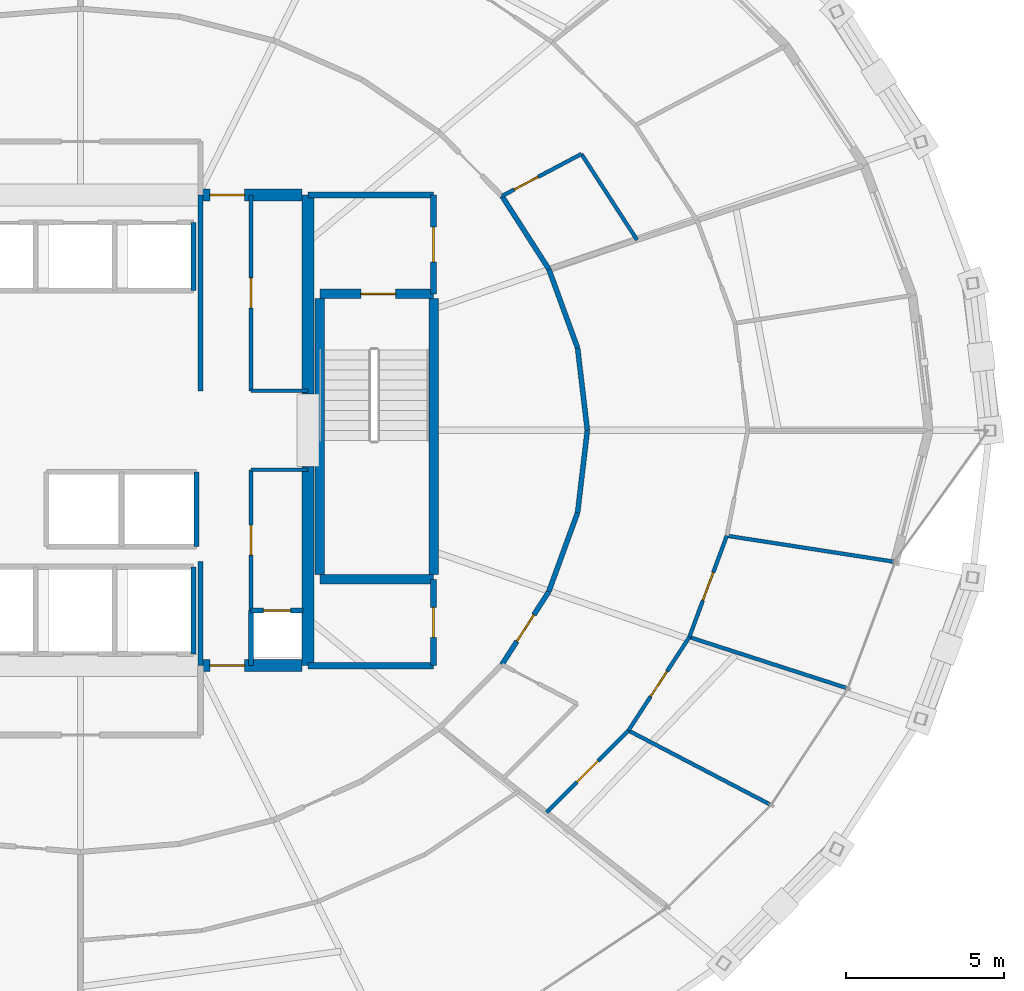
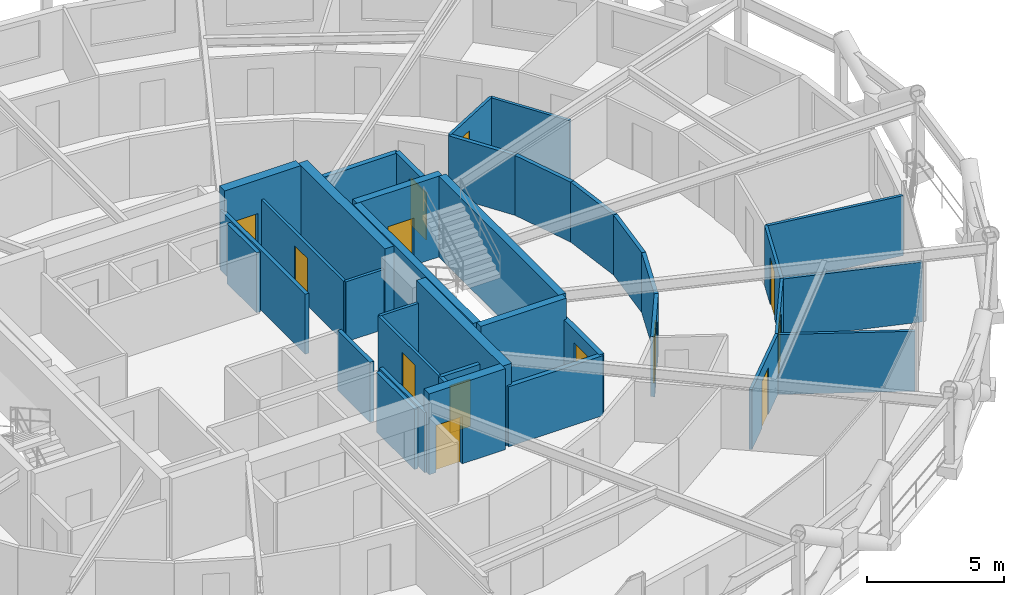
# One storey, part 17 of 23: 37 walls, 13 doors, 13 openings.
"""IFC4 building model written with IfcOpenShell, lengths in metres."""

from ifc_helpers import new_model, si_unit, direction, frame, frame_2d, origin, place, context, subcontext, project, spatial, rectangle, extrude, material, layer, layer_set, type_object, element, fill, save


model = new_model("IFC4")

# Units and contexts
model_context = context("Model", 3, precision=1e-05, world=origin(), true_north=direction((0.0, 1.0)))
body_context = subcontext(model_context, "Body", "Model", "MODEL_VIEW")
ifc_project = project(units=[si_unit("LENGTHUNIT", "METRE"), si_unit("AREAUNIT", "SQUARE_METRE"), si_unit("VOLUMEUNIT", "CUBIC_METRE"), si_unit("PLANEANGLEUNIT", "RADIAN"), si_unit("MASSUNIT", "GRAM", prefix="KILO")], contexts=[model_context])

# Site, building, storey
site_placement = place(None, origin())
site = spatial("IfcSite", under=ifc_project, at=site_placement, CompositionType="ELEMENT")
building_placement = place(site_placement, origin())
building = spatial("IfcBuilding", under=site, at=building_placement, Name="Veldorina Hangang Commons", CompositionType="ELEMENT")
storey_placement = place(building_placement, frame((0.0, 0.0, 102.39990234375)))
storey = spatial("IfcBuildingStorey", under=building, at=storey_placement, Name="L26", CompositionType="ELEMENT", Elevation=102.39990234375)

# Walls
ifc_material_1 = material(Name="Concrete C70/85", Category="concrete")
ifc_layer_1 = layer(ifc_material_1, 0.3798828125)
ifc_layer_set_1 = layer_set([ifc_layer_1], Name="Concrete C70/85")
wall_type_1 = type_object("IfcWallType", Name="CW-RC380-C70", PredefinedType="SHEAR", material=ifc_layer_set_1)
for number, where, z_axis, x_axis, name in (
    (1, (39.199951171875, 16.550048828125, 0.0), (0.0, 0.0, 1.0), (0.0, 1.0, 0.0), "L26 E south core shear wall"),
    (2, (39.199951171875, 25.14990234375, 0.0), (0.0, 0.0, 1.0), (0.0, 1.0, 0.0), "L26 E north core shear wall"),
):
    element("IfcWall", number, at=place(storey_placement, frame(where, z_axis=z_axis, x_axis=x_axis)), inside=storey, type_object=wall_type_1, Name=name, PredefinedType="SHEAR", context=body_context, shape_type="SweptSolid", body=[
        extrude(rectangle(XDim=6.300048828125, YDim=0.3798828125, at=frame_2d((3.14990234375, 0.0))), origin(), (0.0, 0.0, 1.0), 3.60009765625),
    ])

# Wall, opening, door
wall_1_placement = place(storey_placement, frame((35.800048828125, 16.550048828125, 0.0), z_axis=(0.0, 0.0, 1.0), x_axis=(1.0, 0.0, 0.0)))
wall_1 = element("IfcWall", 3, at=wall_1_placement, inside=storey, type_object=wall_type_1, Name="L26 south-east core shear wall", PredefinedType="SHEAR", context=body_context, shape_type="SweptSolid", body=[
    extrude(rectangle(XDim=3.2099609375, YDim=0.3798828125, at=frame_2d((1.60498046875, 0.0))), origin(), (0.0, 0.0, 1.0), 3.60009765625),
])
opening_1_placement = place(wall_1_placement, frame((0.300048828125, 0.0, 0.0)))
opening_1 = element("IfcOpeningElement", 4, at=opening_1_placement, cuts=wall_1, Name="Opening D-08", PredefinedType="OPENING", context=body_context, shape_type="SweptSolid", body=[
    extrude(rectangle(XDim=1.10009765625, YDim=2.10009765625, at=frame_2d((0.550048828125, 1.050048828125))), frame((0.0, 0.199951171875, 0.0), z_axis=(0.0, -1.0, 0.0), x_axis=(1.0, 0.0, 0.0)), (0.0, 0.0, 1.0), 0.39990234375),
])
ifc_material_2 = material(Name="Steel Fire-Rated Smoke Seal", Category="steel")
door_type_1 = type_object("IfcDoorType", Name="DR-FIRE-1100", OperationType="SINGLE_SWING_RIGHT", PredefinedType="DOOR", material=ifc_material_2)
door_1_placement = place(opening_1_placement, origin())
door_1 = element("IfcDoor", 5, at=door_1_placement, inside=storey, type_object=door_type_1, Name="L26 central lift lobby south corridor door", OperationType="SINGLE_SWING_RIGHT", OverallHeight=2.10009765625, OverallWidth=1.10009765625, PredefinedType="DOOR", context=body_context, shape_type="SweptSolid", body=[
    extrude(rectangle(XDim=1.10009765625, YDim=2.10009765625, at=frame_2d((0.550048828125, 1.050048828125))), frame((0.0, 0.02490234375, 0.0), z_axis=(0.0, -1.0, 0.0), x_axis=(1.0, 0.0, 0.0)), (0.0, 0.0, 1.0), 0.050048828125),
])
fill(opening_1, door_1)

wall_2_placement = place(storey_placement, frame((35.800048828125, 31.449951171875, 0.0), z_axis=(0.0, 0.0, 1.0), x_axis=(1.0, 0.0, 0.0)))
wall_2 = element("IfcWall", 6, at=wall_2_placement, inside=storey, type_object=wall_type_1, Name="L26 north-east core shear wall", PredefinedType="SHEAR", context=body_context, shape_type="SweptSolid", body=[
    extrude(rectangle(XDim=3.2099609375, YDim=0.3798828125, at=frame_2d((1.60498046875, 0.0))), origin(), (0.0, 0.0, 1.0), 3.60009765625),
])
opening_2_placement = place(wall_2_placement, frame((0.300048828125, 0.0, 0.0)))
opening_2 = element("IfcOpeningElement", 7, at=opening_2_placement, cuts=wall_2, Name="Opening D-08", PredefinedType="OPENING", context=body_context, shape_type="SweptSolid", body=[
    extrude(rectangle(XDim=1.10009765625, YDim=2.10009765625, at=frame_2d((0.550048828125, 1.050048828125))), frame((0.0, 0.199951171875, 0.0), z_axis=(0.0, -1.0, 0.0), x_axis=(1.0, 0.0, 0.0)), (0.0, 0.0, 1.0), 0.39990234375),
])
door_2_placement = place(opening_2_placement, origin())
door_2 = element("IfcDoor", 8, at=door_2_placement, inside=storey, type_object=door_type_1, Name="L26 central lift lobby north corridor door", OperationType="SINGLE_SWING_LEFT", OverallHeight=2.10009765625, OverallWidth=1.10009765625, PredefinedType="DOOR", context=body_context, shape_type="SweptSolid", body=[
    extrude(rectangle(XDim=1.10009765625, YDim=2.10009765625, at=frame_2d((0.550048828125, 1.050048828125))), frame((0.0, 0.02490234375, 0.0), z_axis=(0.0, -1.0, 0.0), x_axis=(1.0, 0.0, 0.0)), (0.0, 0.0, 1.0), 0.050048828125),
])
fill(opening_2, door_2)

# Walls
ifc_material_3 = material(Name="Concrete C50/60", Category="concrete")
ifc_layer_2 = layer(ifc_material_3, 0.300048828125)
ifc_layer_set_2 = layer_set([ifc_layer_2], Name="Concrete C50/60")
wall_type_2 = type_object("IfcWallType", Name="SW-STAIR-300", PredefinedType="SHEAR", material=ifc_layer_set_2)
for number, where, z_axis, x_axis, name in (
    (9, (43.179931640625, 19.429931640625, 0.0), (0.0, 0.0, 1.0), (0.0, 1.0, 0.0), "L26 ST2 outer stair shear wall"),
    (10, (39.580078125, 19.429931640625, 0.0), (0.0, 0.0, 1.0), (0.0, 1.0, 0.0), "L26 ST2 inner stair shear wall"),
):
    element("IfcWall", number, at=place(storey_placement, frame(where, z_axis=z_axis, x_axis=x_axis)), inside=storey, type_object=wall_type_2, Name=name, PredefinedType="SHEAR", context=body_context, shape_type="SweptSolid", body=[
        extrude(rectangle(XDim=8.739990234375, YDim=0.300048828125, at=frame_2d((4.3701171875, 0.0))), origin(), (0.0, 0.0, 1.0), 3.60009765625),
    ])
wall_3_placement = place(storey_placement, frame((39.580078125, 19.280029296875, 0.0), z_axis=(0.0, 0.0, 1.0), x_axis=(1.0, 0.0, 0.0)))
element("IfcWall", 11, at=wall_3_placement, inside=storey, type_object=wall_type_2, Name="L26 ST2 south stair shear wall", PredefinedType="SHEAR", context=body_context, shape_type="SweptSolid", body=[
    extrude(rectangle(XDim=3.599853515625, YDim=0.300048828125, at=frame_2d((1.7998046875, 0.0))), origin(), (0.0, 0.0, 1.0), 3.60009765625),
])

# Wall, opening, door
wall_4_placement = place(storey_placement, frame((39.580078125, 28.320068359375, 0.0), z_axis=(0.0, 0.0, 1.0), x_axis=(1.0, 0.0, 0.0)))
wall_4 = element("IfcWall", 12, at=wall_4_placement, inside=storey, type_object=wall_type_2, Name="L26 ST2 north stair shear wall", PredefinedType="SHEAR", context=body_context, shape_type="SweptSolid", body=[
    extrude(rectangle(XDim=3.599853515625, YDim=0.300048828125, at=frame_2d((1.7998046875, 0.0))), origin(), (0.0, 0.0, 1.0), 3.60009765625),
])
opening_3_placement = place(wall_4_placement, frame((1.300048828125, 0.0, 0.0)))
opening_3 = element("IfcOpeningElement", 13, at=opening_3_placement, cuts=wall_4, Name="Opening D-08", PredefinedType="OPENING", context=body_context, shape_type="SweptSolid", body=[
    extrude(rectangle(XDim=1.10009765625, YDim=2.10009765625, at=frame_2d((0.550048828125, 1.050048828125))), frame((0.0, 0.16015625, 0.0), z_axis=(0.0, -1.0, 0.0), x_axis=(1.0, 0.0, 0.0)), (0.0, 0.0, 1.0), 0.320068359375),
])
door_3_placement = place(opening_3_placement, origin())
door_3 = element("IfcDoor", 14, at=door_3_placement, inside=storey, type_object=door_type_1, Name="L26 Special Escape Stair ST-2 door", OperationType="SINGLE_SWING_RIGHT", OverallHeight=2.10009765625, OverallWidth=1.10009765625, PredefinedType="DOOR", context=body_context, shape_type="SweptSolid", body=[
    extrude(rectangle(XDim=1.10009765625, YDim=2.10009765625, at=frame_2d((0.550048828125, 1.050048828125))), frame((0.0, 0.02490234375, 0.0), z_axis=(0.0, -1.0, 0.0), x_axis=(1.0, 0.0, 0.0)), (0.0, 0.0, 1.0), 0.050048828125),
])
fill(opening_3, door_3)

# Walls
ifc_material_4 = material(Name="Gypsum Fire-Rated Twin Stud Wall", Category="gypsum")
ifc_layer_3 = layer(ifc_material_4, 0.159912109375)
ifc_layer_set_3 = layer_set([ifc_layer_3], Name="Gypsum Fire-Rated Twin Stud Wall")
wall_type_3 = type_object("IfcWallType", Name="WL-FIRE-160", PredefinedType="SOLIDWALL", material=ifc_layer_set_3)
wall_5_placement = place(storey_placement, frame((35.800048828125, 16.550048828125, 0.0), z_axis=(0.0, 0.0, 1.0), x_axis=(0.0, 1.0, 0.0)))
element("IfcWall", 15, at=wall_5_placement, inside=storey, type_object=wall_type_3, Name="L26 Lift passage SW wall 009", PredefinedType="SOLIDWALL", context=body_context, shape_type="SweptSolid", body=[
    extrude(rectangle(XDim=3.300048828125, YDim=0.159912109375, at=frame_2d((1.64990234375, 0.0))), origin(), (0.0, 0.0, 1.0), 2.670166015625),
])
wall_6_placement = place(storey_placement, frame((37.39990234375, 16.550048828125, 0.0), z_axis=(0.0, 0.0, 1.0), x_axis=(0.0, 1.0, 0.0)))
element("IfcWall", 16, at=wall_6_placement, inside=storey, type_object=wall_type_3, Name="L26 Lift passage SE stub 010", PredefinedType="SOLIDWALL", context=body_context, shape_type="SweptSolid", body=[
    extrude(rectangle(XDim=1.75, YDim=0.159912109375, at=frame_2d((0.875, 0.0))), origin(), (0.0, 0.0, 1.0), 2.670166015625),
])
wall_7_placement = place(storey_placement, frame((35.800048828125, 25.25, 0.0), z_axis=(0.0, 0.0, 1.0), x_axis=(0.0, 1.0, 0.0)))
element("IfcWall", 17, at=wall_7_placement, inside=storey, type_object=wall_type_3, Name="L26 Lift passage NW wall 011", PredefinedType="SOLIDWALL", context=body_context, shape_type="SweptSolid", body=[
    extrude(rectangle(XDim=6.199951171875, YDim=0.159912109375, at=frame_2d((3.10009765625, 0.0))), origin(), (0.0, 0.0, 1.0), 2.670166015625),
])
wall_8_placement = place(storey_placement, frame((35.580078125, 28.419921875, 0.0), z_axis=(0.0, 0.0, 1.0), x_axis=(0.0, 1.0, 0.0)))
element("IfcWall", 18, at=wall_8_placement, inside=storey, type_object=wall_type_3, Name="L26 PL-L3 east shaft wall 020", PredefinedType="SOLIDWALL", context=body_context, shape_type="SweptSolid", body=[
    extrude(rectangle(XDim=2.16015625, YDim=0.159912109375, at=frame_2d((1.080078125, 0.0))), origin(), (0.0, 0.0, 1.0), 2.670166015625),
])
wall_9_placement = place(storey_placement, frame((35.679931640625, 20.320068359375, 0.0), z_axis=(0.0, 0.0, 1.0), x_axis=(0.0, 1.0, 0.0)))
element("IfcWall", 19, at=wall_9_placement, inside=storey, type_object=wall_type_3, Name="L26 SL-2 east shaft wall 025", PredefinedType="SOLIDWALL", context=body_context, shape_type="SweptSolid", body=[
    extrude(rectangle(XDim=2.35986328125, YDim=0.159912109375, at=frame_2d((1.179931640625, 0.0))), origin(), (0.0, 0.0, 1.0), 2.670166015625),
])
wall_10_placement = place(storey_placement, frame((35.580078125, 16.919921875, 0.0), z_axis=(0.0, 0.0, 1.0), x_axis=(0.0, 1.0, 0.0)))
element("IfcWall", 20, at=wall_10_placement, inside=storey, type_object=wall_type_3, Name="L26 EVL-1 east shaft wall 031", PredefinedType="SOLIDWALL", context=body_context, shape_type="SweptSolid", body=[
    extrude(rectangle(XDim=2.760009765625, YDim=0.159912109375, at=frame_2d((1.3798828125, 0.0))), origin(), (0.0, 0.0, 1.0), 2.670166015625),
])

# Wall, opening, door
wall_11_placement = place(storey_placement, frame((37.39990234375, 18.300048828125, 0.0), z_axis=(0.0, 0.0, 1.0), x_axis=(1.0, 0.0, 0.0)))
wall_11 = element("IfcWall", 21, at=wall_11_placement, inside=storey, type_object=wall_type_3, Name="L26 Plumbing riser wall 037", PredefinedType="SOLIDWALL", context=body_context, shape_type="SweptSolid", body=[
    extrude(rectangle(XDim=1.650146484375, YDim=0.159912109375, at=frame_2d((0.8251953125, 0.0))), origin(), (0.0, 0.0, 1.0), 2.670166015625),
])
opening_4_placement = place(wall_11_placement, frame((0.39501953125, 0.0, 0.0)))
opening_4 = element("IfcOpeningElement", 22, at=opening_4_placement, cuts=wall_11, Name="Opening D-01N", PredefinedType="OPENING", context=body_context, shape_type="SweptSolid", body=[
    extrude(rectangle(XDim=0.860107421875, YDim=2.10009765625, at=frame_2d((0.43017578125, 1.050048828125))), frame((0.0, 0.08984375, 0.0), z_axis=(0.0, -1.0, 0.0), x_axis=(1.0, 0.0, 0.0)), (0.0, 0.0, 1.0), 0.179931640625),
])
ifc_material_5 = material(Name="Timber Fire-Rated Core", Category="wood")
door_type_2 = type_object("IfcDoorType", Name="DR-INT-860", OperationType="SINGLE_SWING_LEFT", PredefinedType="DOOR", material=ifc_material_5)
door_4_placement = place(opening_4_placement, origin())
door_4 = element("IfcDoor", 23, at=door_4_placement, inside=storey, type_object=door_type_2, Name="L26 Plumbing riser access door 014", OperationType="SINGLE_SWING_RIGHT", OverallHeight=2.10009765625, OverallWidth=0.860107421875, PredefinedType="TRAPDOOR", context=body_context, shape_type="SweptSolid", body=[
    extrude(rectangle(XDim=0.860107421875, YDim=2.10009765625, at=frame_2d((0.43017578125, 1.050048828125))), frame((0.0, 0.02490234375, 0.0), z_axis=(0.0, -1.0, 0.0), x_axis=(1.0, 0.0, 0.0)), (0.0, 0.0, 1.0), 0.050048828125),
])
fill(opening_4, door_4)

# Walls
wall_12_placement = place(storey_placement, frame((48.050048828125, 24.0, 0.0), z_axis=(0.0, 0.0, 1.0), x_axis=(-0.117570353762, 0.993064555765, 0.0)))
element("IfcWall", 24, at=wall_12_placement, inside=storey, type_object=wall_type_3, Name="L26 Corridor outer wall 00 045", PredefinedType="SOLIDWALL", context=body_context, shape_type="SweptSolid", body=[
    extrude(rectangle(XDim=2.622802734375, YDim=0.159912109375, at=frame_2d((1.3115234375, 0.0))), origin(), (0.0, 0.0, 1.0), 2.670166015625),
])
wall_13_placement = place(storey_placement, frame((47.74169921875, 26.6044921875, 0.0), z_axis=(0.0, 0.0, 1.0), x_axis=(-0.342617982381, 0.939474809747, 0.0)))
element("IfcWall", 25, at=wall_13_placement, inside=storey, type_object=wall_type_3, Name="L26 Corridor outer wall 01 046", PredefinedType="SOLIDWALL", context=body_context, shape_type="SweptSolid", body=[
    extrude(rectangle(XDim=2.665771484375, YDim=0.159912109375, at=frame_2d((1.3330078125, 0.0))), origin(), (0.0, 0.0, 1.0), 2.670166015625),
])
wall_14_placement = place(storey_placement, frame((46.828369140625, 29.10888671875, 0.0), z_axis=(0.0, 0.0, 1.0), x_axis=(-0.540595670038, 0.841282545603, 0.0)))
element("IfcWall", 26, at=wall_14_placement, inside=storey, type_object=wall_type_3, Name="L26 Corridor outer wall 02 047", PredefinedType="SOLIDWALL", context=body_context, shape_type="SweptSolid", body=[
    extrude(rectangle(XDim=2.74365234375, YDim=0.159912109375, at=frame_2d((1.371826171875, 0.0))), origin(), (0.0, 0.0, 1.0), 2.670166015625),
])

# Wall, opening, door
wall_15_placement = place(storey_placement, frame((45.34521484375, 16.5830078125, 0.0), z_axis=(0.0, 0.0, 1.0), x_axis=(0.540595670038, 0.841282545603, 0.0)))
wall_15 = element("IfcWall", 27, at=wall_15_placement, inside=storey, type_object=wall_type_3, Name="L26 Corridor outer wall 29 074", PredefinedType="SOLIDWALL", context=body_context, shape_type="SweptSolid", body=[
    extrude(rectangle(XDim=2.74365234375, YDim=0.159912109375, at=frame_2d((1.371826171875, 0.0))), origin(), (0.0, 0.0, 1.0), 2.670166015625),
])
opening_5_placement = place(wall_15_placement, frame((0.871826171875, 0.0, 0.0)))
opening_5 = element("IfcOpeningElement", 28, at=opening_5_placement, cuts=wall_15, Name="Opening D-06", PredefinedType="OPENING", context=body_context, shape_type="SweptSolid", body=[
    extrude(rectangle(XDim=1.0, YDim=2.10009765625, at=frame_2d((0.5, 1.050048828125))), frame((0.0, 0.08984375, 0.0), z_axis=(0.0, -1.0, 0.0), x_axis=(1.0, 0.0, 0.0)), (0.0, 0.0, 1.0), 0.179931640625),
])
ifc_material_6 = material(Name="Timber Fire-Rated Entrance Core", Category="wood")
door_type_3 = type_object("IfcDoorType", Name="DR-UNIT-1000", OperationType="SINGLE_SWING_LEFT", PredefinedType="DOOR", material=ifc_material_6)
door_5_placement = place(opening_5_placement, origin())
door_5 = element("IfcDoor", 29, at=door_5_placement, inside=storey, type_object=door_type_3, Name="L26 Cluster 2 entrance door 022", OperationType="SINGLE_SWING_RIGHT", OverallHeight=2.10009765625, OverallWidth=1.0, PredefinedType="DOOR", context=body_context, shape_type="SweptSolid", body=[
    extrude(rectangle(XDim=1.0, YDim=2.10009765625, at=frame_2d((0.5, 1.050048828125))), frame((0.0, 0.02490234375, 0.0), z_axis=(0.0, -1.0, 0.0), x_axis=(1.0, 0.0, 0.0)), (0.0, 0.0, 1.0), 0.050048828125),
])
fill(opening_5, door_5)

# Walls
wall_16_placement = place(storey_placement, frame((46.828369140625, 18.89111328125, 0.0), z_axis=(0.0, 0.0, 1.0), x_axis=(0.342617982381, 0.939474809747, 0.0)))
element("IfcWall", 30, at=wall_16_placement, inside=storey, type_object=wall_type_3, Name="L26 Corridor outer wall 30 075", PredefinedType="SOLIDWALL", context=body_context, shape_type="SweptSolid", body=[
    extrude(rectangle(XDim=2.665771484375, YDim=0.159912109375, at=frame_2d((1.3330078125, 0.0))), origin(), (0.0, 0.0, 1.0), 2.670166015625),
])
wall_17_placement = place(storey_placement, frame((47.74169921875, 21.3955078125, 0.0), z_axis=(0.0, 0.0, 1.0), x_axis=(0.117570353762, 0.993064555765, 0.0)))
element("IfcWall", 31, at=wall_17_placement, inside=storey, type_object=wall_type_3, Name="L26 Corridor outer wall 31 076", PredefinedType="SOLIDWALL", context=body_context, shape_type="SweptSolid", body=[
    extrude(rectangle(XDim=2.622802734375, YDim=0.159912109375, at=frame_2d((1.3115234375, 0.0))), origin(), (0.0, 0.0, 1.0), 2.670166015625),
])

# Wall, opening, door
ifc_material_7 = material(Name="Concrete Blockwork Fire Wall C30/37", Category="masonry")
ifc_layer_4 = layer(ifc_material_7, 0.199951171875)
ifc_layer_set_4 = layer_set([ifc_layer_4], Name="Concrete Blockwork Fire Wall C30/37")
wall_type_4 = type_object("IfcWallType", Name="WL-FIRE-200", PredefinedType="SOLIDWALL", material=ifc_layer_set_4)
wall_18_placement = place(storey_placement, frame((43.179931640625, 28.320068359375, 0.0), z_axis=(0.0, 0.0, 1.0), x_axis=(0.0, 1.0, 0.0)))
wall_18 = element("IfcWall", 32, at=wall_18_placement, inside=storey, type_object=wall_type_4, Name="L26 East vestibule outer wall 003", PredefinedType="SOLIDWALL", context=body_context, shape_type="SweptSolid", body=[
    extrude(rectangle(XDim=3.1298828125, YDim=0.199951171875, at=frame_2d((1.56494140625, 0.0))), origin(), (0.0, 0.0, 1.0), 2.670166015625),
])
opening_6_placement = place(wall_18_placement, frame((1.014892578125, 0.0, 0.0)))
opening_6 = element("IfcOpeningElement", 33, at=opening_6_placement, cuts=wall_18, Name="Opening D-08", PredefinedType="OPENING", context=body_context, shape_type="SweptSolid", body=[
    extrude(rectangle(XDim=1.10009765625, YDim=2.10009765625, at=frame_2d((0.550048828125, 1.050048828125))), frame((0.0, 0.10986328125, 0.0), z_axis=(0.0, -1.0, 0.0), x_axis=(1.0, 0.0, 0.0)), (0.0, 0.0, 1.0), 0.219970703125),
])
door_6_placement = place(opening_6_placement, origin())
door_6 = element("IfcDoor", 34, at=door_6_placement, inside=storey, type_object=door_type_1, Name="L26 East vestibule east door 002", OperationType="SINGLE_SWING_RIGHT", OverallHeight=2.10009765625, OverallWidth=1.10009765625, PredefinedType="DOOR", context=body_context, shape_type="SweptSolid", body=[
    extrude(rectangle(XDim=1.10009765625, YDim=2.10009765625, at=frame_2d((0.550048828125, 1.050048828125))), frame((0.0, 0.02490234375, 0.0), z_axis=(0.0, -1.0, 0.0), x_axis=(1.0, 0.0, 0.0)), (0.0, 0.0, 1.0), 0.050048828125),
])
fill(opening_6, door_6)

# Wall
wall_19_placement = place(storey_placement, frame((39.199951171875, 31.449951171875, 0.0), z_axis=(0.0, 0.0, 1.0), x_axis=(1.0, 0.0, 0.0)))
element("IfcWall", 35, at=wall_19_placement, inside=storey, type_object=wall_type_4, Name="L26 East vestibule north wall 004", PredefinedType="SOLIDWALL", context=body_context, shape_type="SweptSolid", body=[
    extrude(rectangle(XDim=3.97998046875, YDim=0.199951171875, at=frame_2d((1.989990234375, 0.0))), origin(), (0.0, 0.0, 1.0), 2.670166015625),
])

# Wall, opening, door
wall_20_placement = place(storey_placement, frame((43.179931640625, 16.550048828125, 0.0), z_axis=(0.0, 0.0, 1.0), x_axis=(0.0, 1.0, 0.0)))
wall_20 = element("IfcWall", 36, at=wall_20_placement, inside=storey, type_object=wall_type_4, Name="L26 SE core room outer wall 007", PredefinedType="SOLIDWALL", context=body_context, shape_type="SweptSolid", body=[
    extrude(rectangle(XDim=2.72998046875, YDim=0.199951171875, at=frame_2d((1.364990234375, 0.0))), origin(), (0.0, 0.0, 1.0), 2.670166015625),
])
opening_7_placement = place(wall_20_placement, frame((0.889892578125, 0.0, 0.0)))
opening_7 = element("IfcOpeningElement", 37, at=opening_7_placement, cuts=wall_20, Name="Opening D-02", PredefinedType="OPENING", context=body_context, shape_type="SweptSolid", body=[
    extrude(rectangle(XDim=0.949951171875, YDim=2.10009765625, at=frame_2d((0.47509765625, 1.050048828125))), frame((0.0, 0.10986328125, 0.0), z_axis=(0.0, -1.0, 0.0), x_axis=(1.0, 0.0, 0.0)), (0.0, 0.0, 1.0), 0.219970703125),
])
ifc_material_8 = material(Name="Timber Solid Core Acoustic", Category="wood")
door_type_4 = type_object("IfcDoorType", Name="DR-INT-950", OperationType="SINGLE_SWING_LEFT", PredefinedType="DOOR", material=ifc_material_8)
door_7_placement = place(opening_7_placement, origin())
door_7 = element("IfcDoor", 38, at=door_7_placement, inside=storey, type_object=door_type_4, Name="L26 SE core WC door 004", OperationType="SINGLE_SWING_RIGHT", OverallHeight=2.10009765625, OverallWidth=0.949951171875, PredefinedType="DOOR", context=body_context, shape_type="SweptSolid", body=[
    extrude(rectangle(XDim=0.949951171875, YDim=2.10009765625, at=frame_2d((0.47509765625, 1.050048828125))), frame((0.0, 0.02490234375, 0.0), z_axis=(0.0, -1.0, 0.0), x_axis=(1.0, 0.0, 0.0)), (0.0, 0.0, 1.0), 0.050048828125),
])
fill(opening_7, door_7)

# Wall
wall_21_placement = place(storey_placement, frame((39.199951171875, 16.550048828125, 0.0), z_axis=(0.0, 0.0, 1.0), x_axis=(1.0, 0.0, 0.0)))
element("IfcWall", 39, at=wall_21_placement, inside=storey, type_object=wall_type_4, Name="L26 SE core room south wall 008", PredefinedType="SOLIDWALL", context=body_context, shape_type="SweptSolid", body=[
    extrude(rectangle(XDim=3.97998046875, YDim=0.199951171875, at=frame_2d((1.989990234375, 0.0))), origin(), (0.0, 0.0, 1.0), 2.670166015625),
])

# Wall, opening, door
ifc_material_9 = material(Name="Gypsum Acoustic Stud Partition", Category="gypsum")
ifc_layer_5 = layer(ifc_material_9, 0.1201171875)
ifc_layer_set_5 = layer_set([ifc_layer_5], Name="Gypsum Acoustic Stud Partition")
wall_type_5 = type_object("IfcWallType", Name="WL-PART-120", PredefinedType="PARTITIONING", material=ifc_layer_set_5)
wall_22_placement = place(storey_placement, frame((37.39990234375, 25.25, 0.0), z_axis=(0.0, 0.0, 1.0), x_axis=(0.0, 1.0, 0.0)))
wall_22 = element("IfcWall", 40, at=wall_22_placement, inside=storey, type_object=wall_type_5, Name="L26 NE strip lobby wall 041", PredefinedType="PARTITIONING", context=body_context, shape_type="SweptSolid", body=[
    extrude(rectangle(XDim=6.199951171875, YDim=0.1201171875, at=frame_2d((3.10009765625, 0.0))), origin(), (0.0, 0.0, 1.0), 2.670166015625),
])
opening_8_placement = place(wall_22_placement, frame((2.625, 0.0, 0.0)))
opening_8 = element("IfcOpeningElement", 41, at=opening_8_placement, cuts=wall_22, Name="Opening D-02", PredefinedType="OPENING", context=body_context, shape_type="SweptSolid", body=[
    extrude(rectangle(XDim=0.949951171875, YDim=2.10009765625, at=frame_2d((0.47509765625, 1.050048828125))), frame((0.0, 0.070068359375, 0.0), z_axis=(0.0, -1.0, 0.0), x_axis=(1.0, 0.0, 0.0)), (0.0, 0.0, 1.0), 0.14013671875),
])
door_8_placement = place(opening_8_placement, origin())
door_8 = element("IfcDoor", 42, at=door_8_placement, inside=storey, type_object=door_type_4, Name="L26 Comms room door 017", OperationType="SINGLE_SWING_LEFT", OverallHeight=2.10009765625, OverallWidth=0.949951171875, PredefinedType="DOOR", context=body_context, shape_type="SweptSolid", body=[
    extrude(rectangle(XDim=0.949951171875, YDim=2.10009765625, at=frame_2d((0.47509765625, 1.050048828125))), frame((0.0, 0.02490234375, 0.0), z_axis=(0.0, -1.0, 0.0), x_axis=(1.0, 0.0, 0.0)), (0.0, 0.0, 1.0), 0.050048828125),
])
fill(opening_8, door_8)

# Wall
wall_23_placement = place(storey_placement, frame((37.39990234375, 25.25, 0.0), z_axis=(0.0, 0.0, 1.0), x_axis=(1.0, 0.0, 0.0)))
element("IfcWall", 43, at=wall_23_placement, inside=storey, type_object=wall_type_5, Name="L26 NE strip south return wall 042", PredefinedType="PARTITIONING", context=body_context, shape_type="SweptSolid", body=[
    extrude(rectangle(XDim=1.800048828125, YDim=0.1201171875, at=frame_2d((0.89990234375, 0.0))), origin(), (0.0, 0.0, 1.0), 2.670166015625),
])

# Wall, opening, door
wall_24_placement = place(storey_placement, frame((37.39990234375, 18.300048828125, 0.0), z_axis=(0.0, 0.0, 1.0), x_axis=(0.0, 1.0, 0.0)))
wall_24 = element("IfcWall", 44, at=wall_24_placement, inside=storey, type_object=wall_type_5, Name="L26 SE strip lobby wall 043", PredefinedType="PARTITIONING", context=body_context, shape_type="SweptSolid", body=[
    extrude(rectangle(XDim=4.449951171875, YDim=0.1201171875, at=frame_2d((2.22509765625, 0.0))), origin(), (0.0, 0.0, 1.0), 2.670166015625),
])
opening_9_placement = place(wall_24_placement, frame((1.75, 0.0, 0.0)))
opening_9 = element("IfcOpeningElement", 45, at=opening_9_placement, cuts=wall_24, Name="Opening D-02", PredefinedType="OPENING", context=body_context, shape_type="SweptSolid", body=[
    extrude(rectangle(XDim=0.949951171875, YDim=2.10009765625, at=frame_2d((0.47509765625, 1.050048828125))), frame((0.0, 0.070068359375, 0.0), z_axis=(0.0, -1.0, 0.0), x_axis=(1.0, 0.0, 0.0)), (0.0, 0.0, 1.0), 0.14013671875),
])
door_9_placement = place(opening_9_placement, origin())
door_9 = element("IfcDoor", 46, at=door_9_placement, inside=storey, type_object=door_type_4, Name="L26 BMS closet door 018", OperationType="SINGLE_SWING_RIGHT", OverallHeight=2.10009765625, OverallWidth=0.949951171875, PredefinedType="DOOR", context=body_context, shape_type="SweptSolid", body=[
    extrude(rectangle(XDim=0.949951171875, YDim=2.10009765625, at=frame_2d((0.47509765625, 1.050048828125))), frame((0.0, 0.02490234375, 0.0), z_axis=(0.0, -1.0, 0.0), x_axis=(1.0, 0.0, 0.0)), (0.0, 0.0, 1.0), 0.050048828125),
])
fill(opening_9, door_9)

# Wall
wall_25_placement = place(storey_placement, frame((37.39990234375, 22.75, 0.0), z_axis=(0.0, 0.0, 1.0), x_axis=(1.0, 0.0, 0.0)))
element("IfcWall", 47, at=wall_25_placement, inside=storey, type_object=wall_type_5, Name="L26 SE strip north return wall 044", PredefinedType="PARTITIONING", context=body_context, shape_type="SweptSolid", body=[
    extrude(rectangle(XDim=1.800048828125, YDim=0.1201171875, at=frame_2d((0.89990234375, 0.0))), origin(), (0.0, 0.0, 1.0), 2.670166015625),
])

# Wall, opening, door
wall_26_placement = place(storey_placement, frame((46.75537109375, 11.900146484375, 0.0), z_axis=(0.0, 0.0, 1.0), x_axis=(0.707406184173, 0.706807251373, 0.0)))
wall_26 = element("IfcWall", 48, at=wall_26_placement, inside=storey, type_object=wall_type_5, Name="L26 Cluster 2 bed 1 front wall 085", PredefinedType="PARTITIONING", context=body_context, shape_type="SweptSolid", body=[
    extrude(rectangle(XDim=3.668701171875, YDim=0.1201171875, at=frame_2d((1.83447265625, 0.0))), origin(), (0.0, 0.0, 1.0), 2.670166015625),
])
opening_10_placement = place(wall_26_placement, frame((1.359130859375, 0.0, 0.0)))
opening_10 = element("IfcOpeningElement", 49, at=opening_10_placement, cuts=wall_26, Name="Opening D-02", PredefinedType="OPENING", context=body_context, shape_type="SweptSolid", body=[
    extrude(rectangle(XDim=0.949951171875, YDim=2.10009765625, at=frame_2d((0.47509765625, 1.050048828125))), frame((0.0, 0.070068359375, 0.0), z_axis=(0.0, -1.0, 0.0), x_axis=(1.0, 0.0, 0.0)), (0.0, 0.0, 1.0), 0.14013671875),
])
door_10_placement = place(opening_10_placement, origin())
door_10 = element("IfcDoor", 50, at=door_10_placement, inside=storey, type_object=door_type_4, Name="L26 Cluster 2 bed 1 door 023", OperationType="SINGLE_SWING_LEFT", OverallHeight=2.10009765625, OverallWidth=0.949951171875, PredefinedType="DOOR", context=body_context, shape_type="SweptSolid", body=[
    extrude(rectangle(XDim=0.949951171875, YDim=2.10009765625, at=frame_2d((0.47509765625, 1.050048828125))), frame((0.0, 0.02490234375, 0.0), z_axis=(0.0, -1.0, 0.0), x_axis=(1.0, 0.0, 0.0)), (0.0, 0.0, 1.0), 0.050048828125),
])
fill(opening_10, door_10)

wall_27_placement = place(storey_placement, frame((49.3505859375, 14.4931640625, 0.0), z_axis=(0.0, 0.0, 1.0), x_axis=(0.546023127997, 0.837770101933, 0.0)))
wall_27 = element("IfcWall", 51, at=wall_27_placement, inside=storey, type_object=wall_type_5, Name="L26 Cluster 2 bed 2 front wall 086", PredefinedType="PARTITIONING", context=body_context, shape_type="SweptSolid", body=[
    extrude(rectangle(XDim=3.531494140625, YDim=0.1201171875, at=frame_2d((1.765625, 0.0))), origin(), (0.0, 0.0, 1.0), 2.670166015625),
])
opening_11_placement = place(wall_27_placement, frame((1.290771484375, 0.0, 0.0)))
opening_11 = element("IfcOpeningElement", 52, at=opening_11_placement, cuts=wall_27, Name="Opening D-02", PredefinedType="OPENING", context=body_context, shape_type="SweptSolid", body=[
    extrude(rectangle(XDim=0.949951171875, YDim=2.10009765625, at=frame_2d((0.47509765625, 1.050048828125))), frame((0.0, 0.070068359375, 0.0), z_axis=(0.0, -1.0, 0.0), x_axis=(1.0, 0.0, 0.0)), (0.0, 0.0, 1.0), 0.14013671875),
])
door_11_placement = place(opening_11_placement, origin())
door_11 = element("IfcDoor", 53, at=door_11_placement, inside=storey, type_object=door_type_4, Name="L26 Cluster 2 bed 2 door 024", OperationType="SINGLE_SWING_RIGHT", OverallHeight=2.10009765625, OverallWidth=0.949951171875, PredefinedType="DOOR", context=body_context, shape_type="SweptSolid", body=[
    extrude(rectangle(XDim=0.949951171875, YDim=2.10009765625, at=frame_2d((0.47509765625, 1.050048828125))), frame((0.0, 0.02490234375, 0.0), z_axis=(0.0, -1.0, 0.0), x_axis=(1.0, 0.0, 0.0)), (0.0, 0.0, 1.0), 0.050048828125),
])
fill(opening_11, door_11)

# Wall
wall_28_placement = place(storey_placement, frame((49.3505859375, 14.4931640625, 0.0), z_axis=(0.0, 0.0, 1.0), x_axis=(0.886579668451, -0.462575930512, 0.0)))
element("IfcWall", 54, at=wall_28_placement, inside=storey, type_object=wall_type_5, Name="L26 Cluster 2 bed divider 1 087", PredefinedType="PARTITIONING", context=body_context, shape_type="SweptSolid", body=[
    extrude(rectangle(XDim=5.044677734375, YDim=0.1201171875, at=frame_2d((2.5224609375, 0.0))), origin(), (0.0, 0.0, 1.0), 2.670166015625),
])

# Wall, opening, door
wall_29_placement = place(storey_placement, frame((51.27880859375, 17.45166015625, 0.0), z_axis=(0.0, 0.0, 1.0), x_axis=(0.346961196686, 0.937879484792, 0.0)))
wall_29 = element("IfcWall", 55, at=wall_29_placement, inside=storey, type_object=wall_type_5, Name="L26 Cluster 2 bed 3 front wall 088", PredefinedType="PARTITIONING", context=body_context, shape_type="SweptSolid", body=[
    extrude(rectangle(XDim=3.422607421875, YDim=0.1201171875, at=frame_2d((1.71142578125, 0.0))), origin(), (0.0, 0.0, 1.0), 2.670166015625),
])
opening_12_placement = place(wall_29_placement, frame((1.236328125, 0.0, 0.0)))
opening_12 = element("IfcOpeningElement", 56, at=opening_12_placement, cuts=wall_29, Name="Opening D-02", PredefinedType="OPENING", context=body_context, shape_type="SweptSolid", body=[
    extrude(rectangle(XDim=0.949951171875, YDim=2.10009765625, at=frame_2d((0.47509765625, 1.050048828125))), frame((0.0, 0.070068359375, 0.0), z_axis=(0.0, -1.0, 0.0), x_axis=(1.0, 0.0, 0.0)), (0.0, 0.0, 1.0), 0.14013671875),
])
door_12_placement = place(opening_12_placement, origin())
door_12 = element("IfcDoor", 57, at=door_12_placement, inside=storey, type_object=door_type_4, Name="L26 Cluster 2 bed 3 door 025", OperationType="SINGLE_SWING_LEFT", OverallHeight=2.10009765625, OverallWidth=0.949951171875, PredefinedType="DOOR", context=body_context, shape_type="SweptSolid", body=[
    extrude(rectangle(XDim=0.949951171875, YDim=2.10009765625, at=frame_2d((0.47509765625, 1.050048828125))), frame((0.0, 0.02490234375, 0.0), z_axis=(0.0, -1.0, 0.0), x_axis=(1.0, 0.0, 0.0)), (0.0, 0.0, 1.0), 0.050048828125),
])
fill(opening_12, door_12)

# Walls
wall_30_placement = place(storey_placement, frame((51.27880859375, 17.45166015625, 0.0), z_axis=(0.0, 0.0, 1.0), x_axis=(0.951467861334, -0.307748125663, 0.0)))
element("IfcWall", 58, at=wall_30_placement, inside=storey, type_object=wall_type_5, Name="L26 Cluster 2 bed divider 2 089", PredefinedType="PARTITIONING", context=body_context, shape_type="SweptSolid", body=[
    extrude(rectangle(XDim=5.224853515625, YDim=0.1201171875, at=frame_2d((2.6123046875, 0.0))), origin(), (0.0, 0.0, 1.0), 2.670166015625),
])
wall_31_placement = place(storey_placement, frame((52.46630859375, 20.66162109375, 0.0), z_axis=(0.0, 0.0, 1.0), x_axis=(0.988152999311, -0.15347198426, 0.0)))
element("IfcWall", 59, at=wall_31_placement, inside=storey, type_object=wall_type_5, Name="L26 Cluster 2 bed divider 3 091", PredefinedType="PARTITIONING", context=body_context, shape_type="SweptSolid", body=[
    extrude(rectangle(XDim=5.341796875, YDim=0.1201171875, at=frame_2d((2.6708984375, 0.0))), origin(), (0.0, 0.0, 1.0), 2.670166015625),
])
wall_32_placement = place(storey_placement, frame((49.62451171875, 30.0263671875, 0.0), z_axis=(0.0, 0.0, 1.0), x_axis=(-0.543463490986, 0.839432804914, 0.0)))
element("IfcWall", 60, at=wall_32_placement, inside=storey, type_object=wall_type_5, Name="L26 Cluster 3 bath front wall 097", PredefinedType="PARTITIONING", context=body_context, shape_type="SweptSolid", body=[
    extrude(rectangle(XDim=3.243408203125, YDim=0.1201171875, at=frame_2d((1.62158203125, 0.0))), origin(), (0.0, 0.0, 1.0), 2.670166015625),
])

# Wall, opening, door
wall_33_placement = place(storey_placement, frame((45.34521484375, 31.4169921875, 0.0), z_axis=(0.0, 0.0, 1.0), x_axis=(0.883829625211, 0.467808928517, 0.0)))
wall_33 = element("IfcWall", 61, at=wall_33_placement, inside=storey, type_object=wall_type_5, Name="L26 Cluster 3 bath side wall 098", PredefinedType="PARTITIONING", context=body_context, shape_type="SweptSolid", body=[
    extrude(rectangle(XDim=2.847412109375, YDim=0.1201171875, at=frame_2d((1.423828125, 0.0))), origin(), (0.0, 0.0, 1.0), 2.670166015625),
])
opening_13_placement = place(wall_33_placement, frame((0.43994140625, 0.0, 0.0)))
opening_13 = element("IfcOpeningElement", 62, at=opening_13_placement, cuts=wall_33, Name="Opening D-01", PredefinedType="OPENING", context=body_context, shape_type="SweptSolid", body=[
    extrude(rectangle(XDim=0.860107421875, YDim=2.10009765625, at=frame_2d((0.43017578125, 1.050048828125))), frame((0.0, 0.070068359375, 0.0), z_axis=(0.0, -1.0, 0.0), x_axis=(1.0, 0.0, 0.0)), (0.0, 0.0, 1.0), 0.14013671875),
])
ifc_material_10 = material(Name="Timber Moisture-Resistant Core", Category="wood")
door_type_5 = type_object("IfcDoorType", Name="DR-WET-860", OperationType="SINGLE_SWING_LEFT", PredefinedType="DOOR", material=ifc_material_10)
door_13_placement = place(opening_13_placement, origin())
door_13 = element("IfcDoor", 63, at=door_13_placement, inside=storey, type_object=door_type_5, Name="L26 Cluster 3 shared bathroom door 029", OperationType="SINGLE_SWING_LEFT", OverallHeight=2.10009765625, OverallWidth=0.860107421875, PredefinedType="DOOR", context=body_context, shape_type="SweptSolid", body=[
    extrude(rectangle(XDim=0.860107421875, YDim=2.10009765625, at=frame_2d((0.43017578125, 1.050048828125))), frame((0.0, 0.02490234375, 0.0), z_axis=(0.0, -1.0, 0.0), x_axis=(1.0, 0.0, 0.0)), (0.0, 0.0, 1.0), 0.050048828125),
])
fill(opening_13, door_13)

save(model, "model.ifc")
